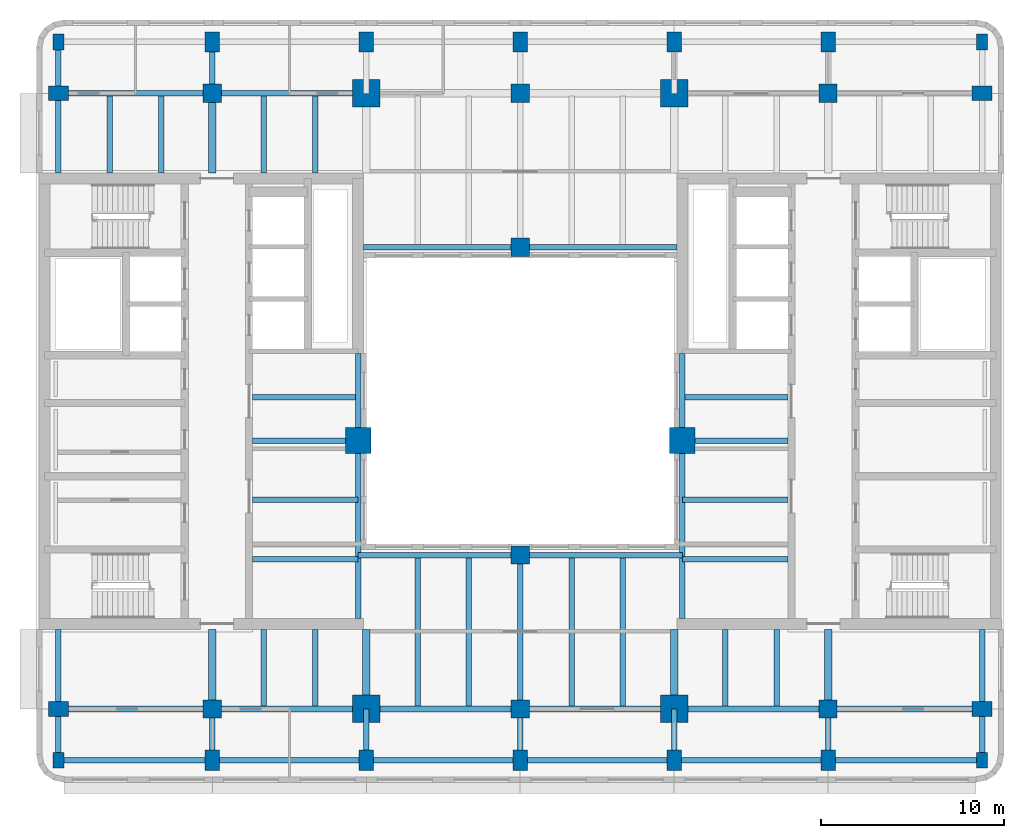
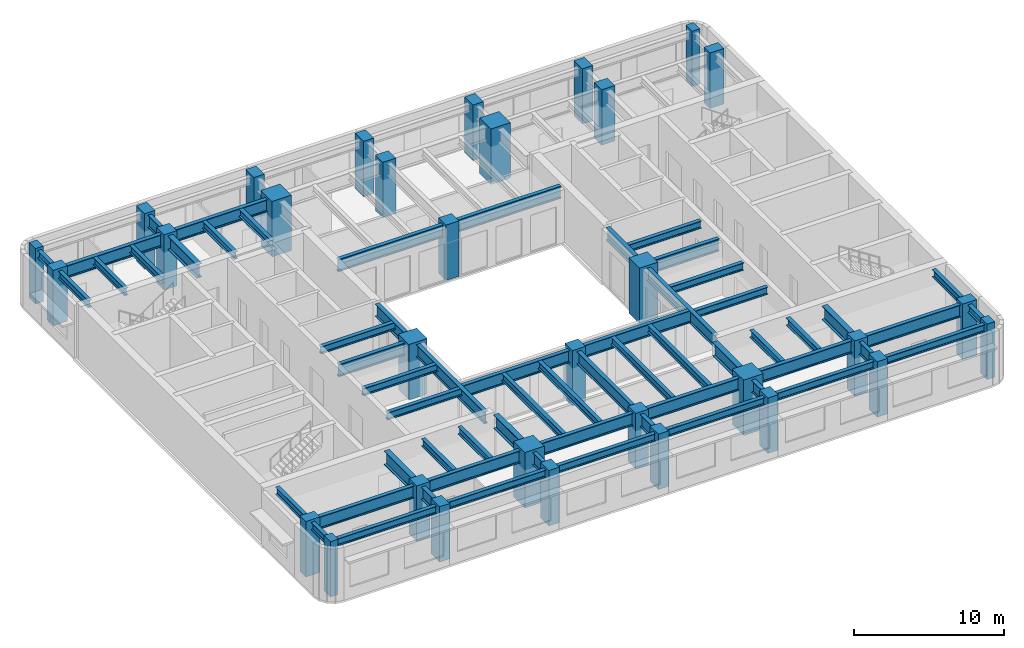
# One storey, part 1 of 13: 60 beams, 32 columns.
"""IFC4 building model written with IfcOpenShell, lengths in metres."""

from ifc_helpers import new_model, si_unit, direction, frame, origin, origin_2d, place, context, subcontext, project, spatial, rectangle, i_section, extrude, material, material_profile, profile_set, type_object, element, save


model = new_model("IFC4")

# Units and contexts
model_context = context("Model", 3, precision=1e-05, world=origin(), true_north=direction((0.0, 1.0)))
body_context = subcontext(model_context, "Body", "Model", "MODEL_VIEW")
ifc_project = project(units=[si_unit("LENGTHUNIT", "METRE"), si_unit("AREAUNIT", "SQUARE_METRE"), si_unit("VOLUMEUNIT", "CUBIC_METRE"), si_unit("PLANEANGLEUNIT", "RADIAN"), si_unit("MASSUNIT", "GRAM", prefix="KILO")], contexts=[model_context])

# Site, building, storey
site_placement = place(None, origin())
site = spatial("IfcSite", under=ifc_project, at=site_placement, CompositionType="ELEMENT")
building_placement = place(site_placement, origin())
building = spatial("IfcBuilding", under=site, at=building_placement, Name="Claustro Exchange Tower", CompositionType="ELEMENT")
storey_placement = place(building_placement, frame((0.0, 0.0, 277.199951171875)))
storey = spatial("IfcBuildingStorey", under=building, at=storey_placement, Name="L63", CompositionType="ELEMENT", Elevation=277.199951171875)

# Columns
ifc_material_1 = material(Name="Concrete HA-70 (C70/85)", Category="concrete")
ifc_material_profile_1 = material_profile(ifc_material_1, rectangle(XDim=1.39990234375, YDim=1.39990234375, at=origin_2d()), Name="RC 1400x1400")
ifc_profile_set_1 = profile_set([ifc_material_profile_1], Name="Concrete HA-70 (C70/85)")
column_type_1 = type_object("IfcColumnType", Name="C0 RC 1400x1400 HA-70 column", PredefinedType="COLUMN", material=ifc_profile_set_1)
for number, where, z_axis, x_axis, name in (
    (1, (16.35009765625, 23.050048828125, 0.0), (0.0, 0.0, 1.0), (1.0, 0.0, 0.0), "Column C0 2+7950/C+6250 L63"),
    (2, (34.050048828125, 23.050048828125, 0.0), (0.0, 0.0, 1.0), (1.0, 0.0, 0.0), "Column C0 5+450/C+6250 L63"),
):
    element("IfcColumn", number, at=place(storey_placement, frame(where, z_axis=z_axis, x_axis=x_axis)), inside=storey, type_object=column_type_1, Name=name, PredefinedType="COLUMN", context=body_context, shape_type="SweptSolid", body=[
        extrude(rectangle(XDim=1.39990234375, YDim=1.39990234375, at=origin_2d()), origin(), (0.0, 0.0, 1.0), 4.5),
    ])
ifc_material_2 = material(Name="Concrete HA-70 (C70/85)", Category="concrete")
ifc_material_profile_2 = material_profile(ifc_material_2, rectangle(XDim=1.0, YDim=1.0, at=origin_2d()), Name="RC 1000x1000")
ifc_profile_set_2 = profile_set([ifc_material_profile_2], Name="Concrete HA-70 (C70/85)")
column_type_2 = type_object("IfcColumnType", Name="C2 RC 1000x1000 HA-70 column", PredefinedType="COLUMN", material=ifc_profile_set_2)
for number, where, z_axis, x_axis, name in (
    (3, (8.39990234375, 8.39990234375, 0.0), (0.0, 0.0, 1.0), (1.0, 0.0, 0.0), "Column C2 2/B L63"),
    (4, (8.39990234375, 42.0, 0.0), (0.0, 0.0, 1.0), (1.0, 0.0, 0.0), "Column C2 2/F L63"),
    (5, (25.199951171875, 8.39990234375, 0.0), (0.0, 0.0, 1.0), (1.0, 0.0, 0.0), "Column C2 4/B L63"),
    (6, (25.199951171875, 42.0, 0.0), (0.0, 0.0, 1.0), (1.0, 0.0, 0.0), "Column C2 4/F L63"),
    (7, (25.199951171875, 16.800048828125, 0.0), (0.0, 0.0, 1.0), (1.0, 0.0, 0.0), "Column C2 4/C L63"),
    (8, (25.199951171875, 33.60009765625, 0.0), (0.0, 0.0, 1.0), (1.0, 0.0, 0.0), "Column C2 4/E L63"),
    (9, (42.0, 8.39990234375, 0.0), (0.0, 0.0, 1.0), (1.0, 0.0, 0.0), "Column C2 6/B L63"),
    (10, (42.0, 42.0, 0.0), (0.0, 0.0, 1.0), (1.0, 0.0, 0.0), "Column C2 6/F L63"),
):
    element("IfcColumn", number, at=place(storey_placement, frame(where, z_axis=z_axis, x_axis=x_axis)), inside=storey, type_object=column_type_2, Name=name, PredefinedType="COLUMN", context=body_context, shape_type="SweptSolid", body=[
        extrude(rectangle(XDim=1.0, YDim=1.0, at=origin_2d()), origin(), (0.0, 0.0, 1.0), 4.5),
    ])
ifc_material_3 = material(Name="Concrete HA-50 (C50/60)", Category="concrete")
ifc_material_profile_3 = material_profile(ifc_material_3, rectangle(XDim=0.800048828125, YDim=1.10009765625, at=origin_2d()), Name="RC 800x1100")
ifc_profile_set_3 = profile_set([ifc_material_profile_3], Name="Concrete HA-50 (C50/60)")
column_type_3 = type_object("IfcColumnType", Name="C23 RC 800x1100 HA-50 perimeter column", PredefinedType="COLUMN", material=ifc_profile_set_3)
for number, where, z_axis, x_axis, name in (
    (11, (0.0, 8.39990234375, 0.0), (0.0, 0.0, 1.0), (0.0, 1.0, 0.0), "Column C23 1/B L63"),
    (12, (0.0, 42.0, 0.0), (0.0, 0.0, 1.0), (0.0, 1.0, 0.0), "Column C23 1/F L63"),
    (13, (8.39990234375, 5.60009765625, 0.0), (0.0, 0.0, 1.0), (1.0, 0.0, 0.0), "Column C23 2/A+5600 L63"),
    (14, (8.39990234375, 44.800048828125, 0.0), (0.0, 0.0, 1.0), (1.0, 0.0, 0.0), "Column C23 2/F+2800 L63"),
    (15, (16.800048828125, 5.60009765625, 0.0), (0.0, 0.0, 1.0), (1.0, 0.0, 0.0), "Column C23 3/A+5600 L63"),
    (16, (16.800048828125, 44.800048828125, 0.0), (0.0, 0.0, 1.0), (1.0, 0.0, 0.0), "Column C23 3/F+2800 L63"),
    (17, (25.199951171875, 5.60009765625, 0.0), (0.0, 0.0, 1.0), (1.0, 0.0, 0.0), "Column C23 4/A+5600 L63"),
    (18, (25.199951171875, 44.800048828125, 0.0), (0.0, 0.0, 1.0), (1.0, 0.0, 0.0), "Column C23 4/F+2800 L63"),
    (19, (33.60009765625, 5.60009765625, 0.0), (0.0, 0.0, 1.0), (1.0, 0.0, 0.0), "Column C23 5/A+5600 L63"),
    (20, (33.60009765625, 44.800048828125, 0.0), (0.0, 0.0, 1.0), (1.0, 0.0, 0.0), "Column C23 5/F+2800 L63"),
    (21, (42.0, 5.60009765625, 0.0), (0.0, 0.0, 1.0), (1.0, 0.0, 0.0), "Column C23 6/A+5600 L63"),
    (22, (42.0, 44.800048828125, 0.0), (0.0, 0.0, 1.0), (1.0, 0.0, 0.0), "Column C23 6/F+2800 L63"),
    (23, (50.39990234375, 8.39990234375, 0.0), (0.0, 0.0, 1.0), (0.0, 1.0, 0.0), "Column C23 7/B L63"),
    (24, (50.39990234375, 42.0, 0.0), (0.0, 0.0, 1.0), (0.0, 1.0, 0.0), "Column C23 7/F L63"),
):
    element("IfcColumn", number, at=place(storey_placement, frame(where, z_axis=z_axis, x_axis=x_axis)), inside=storey, type_object=column_type_3, Name=name, PredefinedType="COLUMN", context=body_context, shape_type="SweptSolid", body=[
        extrude(rectangle(XDim=0.800048828125, YDim=1.10009765625, at=origin_2d()), origin(), (0.0, 0.0, 1.0), 4.5),
    ])
ifc_material_4 = material(Name="Concrete HA-50 (C50/60)", Category="concrete")
ifc_material_profile_4 = material_profile(ifc_material_4, rectangle(XDim=0.60009765625, YDim=0.85009765625, at=origin_2d()), Name="RC 600x850")
ifc_profile_set_4 = profile_set([ifc_material_profile_4], Name="Concrete HA-50 (C50/60)")
column_type_4 = type_object("IfcColumnType", Name="C25 RC 600x850 HA-50 corner column", PredefinedType="COLUMN", material=ifc_profile_set_4)
for number, where, z_axis, x_axis, name in (
    (25, (0.0, 5.60009765625, 0.0), (0.0, 0.0, 1.0), (1.0, 0.0, 0.0), "Column C25 1/A+5600 L63"),
    (26, (0.0, 44.800048828125, 0.0), (0.0, 0.0, 1.0), (1.0, 0.0, 0.0), "Column C25 1/F+2800 L63"),
    (27, (50.39990234375, 5.60009765625, 0.0), (0.0, 0.0, 1.0), (1.0, 0.0, 0.0), "Column C25 7/A+5600 L63"),
    (28, (50.39990234375, 44.800048828125, 0.0), (0.0, 0.0, 1.0), (1.0, 0.0, 0.0), "Column C25 7/F+2800 L63"),
):
    element("IfcColumn", number, at=place(storey_placement, frame(where, z_axis=z_axis, x_axis=x_axis)), inside=storey, type_object=column_type_4, Name=name, PredefinedType="COLUMN", context=body_context, shape_type="SweptSolid", body=[
        extrude(rectangle(XDim=0.60009765625, YDim=0.85009765625, at=origin_2d()), origin(), (0.0, 0.0, 1.0), 4.5),
    ])
ifc_material_5 = material(Name="Concrete HA-70 (C70/85)", Category="concrete")
ifc_material_profile_5 = material_profile(ifc_material_5, rectangle(XDim=1.5, YDim=1.5, at=origin_2d()), Name="RC 1500x1500")
ifc_profile_set_5 = profile_set([ifc_material_profile_5], Name="Concrete HA-70 (C70/85)")
column_type_5 = type_object("IfcColumnType", Name="C43 RC 1500x1500 HA-70 column", PredefinedType="COLUMN", material=ifc_profile_set_5)
for number, where, z_axis, x_axis, name in (
    (29, (16.800048828125, 8.39990234375, 0.0), (0.0, 0.0, 1.0), (1.0, 0.0, 0.0), "Column C43 3/B L63"),
    (30, (16.800048828125, 42.0, 0.0), (0.0, 0.0, 1.0), (1.0, 0.0, 0.0), "Column C43 3/F L63"),
    (31, (33.60009765625, 8.39990234375, 0.0), (0.0, 0.0, 1.0), (1.0, 0.0, 0.0), "Column C43 5/B L63"),
    (32, (33.60009765625, 42.0, 0.0), (0.0, 0.0, 1.0), (1.0, 0.0, 0.0), "Column C43 5/F L63"),
):
    element("IfcColumn", number, at=place(storey_placement, frame(where, z_axis=z_axis, x_axis=x_axis)), inside=storey, type_object=column_type_5, Name=name, PredefinedType="COLUMN", context=body_context, shape_type="SweptSolid", body=[
        extrude(rectangle(XDim=1.5, YDim=1.5, at=origin_2d()), origin(), (0.0, 0.0, 1.0), 4.5),
    ])

# Beams
ifc_material_6 = material(Name="Steel S355", Category="steel")
ifc_material_profile_6 = material_profile(ifc_material_6, i_section(OverallWidth=0.300048828125, OverallDepth=0.60009765625, WebThickness=0.015380859375, FlangeThickness=0.030029296875, FilletRadius=0.027099609375, at=origin_2d()), Name="HE 600 B")
ifc_profile_set_6 = profile_set([ifc_material_profile_6], Name="Steel S355")
beam_type_1 = type_object("IfcBeamType", Name="B22 HE 600 B secondary beam", PredefinedType="BEAM", material=ifc_profile_set_6)
for number, where, z_axis, x_axis, name in (
    (33, (2.800048828125, 37.64990234375, 4.0), (0.0, 1.0, 0.0), (-1.0, 0.0, 0.0), "Beam B22 L64"),
    (34, (5.60009765625, 37.64990234375, 4.0), (0.0, 1.0, 0.0), (-1.0, 0.0, 0.0), "Beam B22 L64"),
):
    element("IfcBeam", number, at=place(storey_placement, frame(where, z_axis=z_axis, x_axis=x_axis)), inside=storey, type_object=beam_type_1, Name=name, PredefinedType="BEAM", context=body_context, shape_type="SweptSolid", body=[
        extrude(i_section(OverallWidth=0.300048828125, OverallDepth=0.60009765625, WebThickness=0.015380859375, FlangeThickness=0.030029296875, FilletRadius=0.027099609375, at=origin_2d()), origin(), (0.0, 0.0, 1.0), 4.19921875),
    ])
for number, where, z_axis, x_axis, name in (
    (35, (11.199951171875, 8.551025390625, 4.0), (0.0, 1.0, 0.0), (-1.0, 0.0, 0.0), "Beam B22 L64"),
    (36, (14.0, 8.551025390625, 4.0), (0.0, 1.0, 0.0), (-1.0, 0.0, 0.0), "Beam B22 L64"),
):
    element("IfcBeam", number, at=place(storey_placement, frame(where, z_axis=z_axis, x_axis=x_axis)), inside=storey, type_object=beam_type_1, Name=name, PredefinedType="BEAM", context=body_context, shape_type="SweptSolid", body=[
        extrude(i_section(OverallWidth=0.300048828125, OverallDepth=0.60009765625, WebThickness=0.015380859375, FlangeThickness=0.030029296875, FilletRadius=0.027099609375, at=origin_2d()), origin(), (0.0, 0.0, 1.0), 4.198974609375),
    ])
for number, where, z_axis, x_axis, name in (
    (37, (11.199951171875, 37.64990234375, 4.0), (0.0, 1.0, 0.0), (-1.0, 0.0, 0.0), "Beam B22 L64"),
    (38, (14.0, 37.64990234375, 4.0), (0.0, 1.0, 0.0), (-1.0, 0.0, 0.0), "Beam B22 L64"),
):
    element("IfcBeam", number, at=place(storey_placement, frame(where, z_axis=z_axis, x_axis=x_axis)), inside=storey, type_object=beam_type_1, Name=name, PredefinedType="BEAM", context=body_context, shape_type="SweptSolid", body=[
        extrude(i_section(OverallWidth=0.300048828125, OverallDepth=0.60009765625, WebThickness=0.015380859375, FlangeThickness=0.030029296875, FilletRadius=0.027099609375, at=origin_2d()), origin(), (0.0, 0.0, 1.0), 4.19921875),
    ])
for number, where, z_axis, x_axis, name in (
    (39, (19.60009765625, 8.551025390625, 4.0), (0.0, 1.0, 0.0), (-1.0, 0.0, 0.0), "Beam B22 L64"),
    (40, (22.39990234375, 8.551025390625, 4.0), (0.0, 1.0, 0.0), (-1.0, 0.0, 0.0), "Beam B22 L64"),
    (41, (28.0, 8.551025390625, 4.0), (0.0, 1.0, 0.0), (-1.0, 0.0, 0.0), "Beam B22 L64"),
    (42, (30.800048828125, 8.551025390625, 4.0), (0.0, 1.0, 0.0), (-1.0, 0.0, 0.0), "Beam B22 L64"),
):
    element("IfcBeam", number, at=place(storey_placement, frame(where, z_axis=z_axis, x_axis=x_axis)), inside=storey, type_object=beam_type_1, Name=name, PredefinedType="BEAM", context=body_context, shape_type="SweptSolid", body=[
        extrude(i_section(OverallWidth=0.300048828125, OverallDepth=0.60009765625, WebThickness=0.015380859375, FlangeThickness=0.030029296875, FilletRadius=0.027099609375, at=origin_2d()), origin(), (0.0, 0.0, 1.0), 8.098876953125),
    ])
for number, where, z_axis, x_axis, name in (
    (43, (36.39990234375, 8.551025390625, 4.0), (0.0, 1.0, 0.0), (-1.0, 0.0, 0.0), "Beam B22 L64"),
    (44, (39.199951171875, 8.551025390625, 4.0), (0.0, 1.0, 0.0), (-1.0, 0.0, 0.0), "Beam B22 L64"),
):
    element("IfcBeam", number, at=place(storey_placement, frame(where, z_axis=z_axis, x_axis=x_axis)), inside=storey, type_object=beam_type_1, Name=name, PredefinedType="BEAM", context=body_context, shape_type="SweptSolid", body=[
        extrude(i_section(OverallWidth=0.300048828125, OverallDepth=0.60009765625, WebThickness=0.015380859375, FlangeThickness=0.030029296875, FilletRadius=0.027099609375, at=origin_2d()), origin(), (0.0, 0.0, 1.0), 4.198974609375),
    ])
for number, where, z_axis, x_axis, name in (
    (45, (10.60009765625, 16.583251953125, 4.0), (1.0, 0.0, 0.0), (0.0, 1.0, 0.0), "Beam B22 core step framing L64"),
    (46, (10.60009765625, 19.816650390625, 4.0), (1.0, 0.0, 0.0), (0.0, 1.0, 0.0), "Beam B22 core step framing L64"),
    (47, (10.60009765625, 25.425048828125, 4.0), (1.0, 0.0, 0.0), (0.0, 1.0, 0.0), "Beam B22 core step framing L64"),
    (48, (34.050048828125, 16.583251953125, 4.0), (1.0, 0.0, 0.0), (0.0, 1.0, 0.0), "Beam B22 core step framing L64"),
    (49, (34.050048828125, 19.816650390625, 4.0), (1.0, 0.0, 0.0), (0.0, 1.0, 0.0), "Beam B22 core step framing L64"),
    (50, (34.050048828125, 25.425048828125, 4.0), (1.0, 0.0, 0.0), (0.0, 1.0, 0.0), "Beam B22 core step framing L64"),
):
    element("IfcBeam", number, at=place(storey_placement, frame(where, z_axis=z_axis, x_axis=x_axis)), inside=storey, type_object=beam_type_1, Name=name, PredefinedType="BEAM", context=body_context, shape_type="SweptSolid", body=[
        extrude(i_section(OverallWidth=0.300048828125, OverallDepth=0.60009765625, WebThickness=0.015380859375, FlangeThickness=0.030029296875, FilletRadius=0.027099609375, at=origin_2d()), origin(), (0.0, 0.0, 1.0), 5.75),
    ])
ifc_material_7 = material(Name="Steel S355", Category="steel")
ifc_material_profile_7 = material_profile(ifc_material_7, i_section(OverallWidth=0.302001953125, OverallDepth=1.008056640625, WebThickness=0.02099609375, FlangeThickness=0.0400390625, FilletRadius=0.030029296875, at=origin_2d()), Name="HE 1000 M")
ifc_profile_set_7 = profile_set([ifc_material_profile_7], Name="Steel S355")
beam_type_2 = type_object("IfcBeamType", Name="B23 HE 1000 M floor girder", PredefinedType="BEAM", material=ifc_profile_set_7)
beam_1_placement = place(storey_placement, frame((8.39990234375, 5.60009765625, 3.796142578125), z_axis=(0.0, 1.0, 0.0), x_axis=(-1.0, 0.0, 0.0)))
element("IfcBeam", 51, at=beam_1_placement, inside=storey, type_object=beam_type_2, Name="Beam B23 L64", PredefinedType="BEAM", context=body_context, shape_type="SweptSolid", body=[
    extrude(i_section(OverallWidth=0.302001953125, OverallDepth=1.008056640625, WebThickness=0.02099609375, FlangeThickness=0.0400390625, FilletRadius=0.030029296875, at=origin_2d()), origin(), (0.0, 0.0, 1.0), 2.7998046875),
])
beam_2_placement = place(storey_placement, frame((8.39990234375, 42.0, 3.796142578125), z_axis=(0.0, 1.0, 0.0), x_axis=(-1.0, 0.0, 0.0)))
element("IfcBeam", 52, at=beam_2_placement, inside=storey, type_object=beam_type_2, Name="Beam B23 L64", PredefinedType="BEAM", context=body_context, shape_type="SweptSolid", body=[
    extrude(i_section(OverallWidth=0.302001953125, OverallDepth=1.008056640625, WebThickness=0.02099609375, FlangeThickness=0.0400390625, FilletRadius=0.030029296875, at=origin_2d()), origin(), (0.0, 0.0, 1.0), 2.800048828125),
])
for number, where, z_axis, x_axis, name in (
    (53, (16.800048828125, 5.60009765625, 3.796142578125), (0.0, 1.0, 0.0), (-1.0, 0.0, 0.0), "Beam B23 L64"),
    (54, (25.199951171875, 5.60009765625, 3.796142578125), (0.0, 1.0, 0.0), (-1.0, 0.0, 0.0), "Beam B23 L64"),
):
    element("IfcBeam", number, at=place(storey_placement, frame(where, z_axis=z_axis, x_axis=x_axis)), inside=storey, type_object=beam_type_2, Name=name, PredefinedType="BEAM", context=body_context, shape_type="SweptSolid", body=[
        extrude(i_section(OverallWidth=0.302001953125, OverallDepth=1.008056640625, WebThickness=0.02099609375, FlangeThickness=0.0400390625, FilletRadius=0.030029296875, at=origin_2d()), origin(), (0.0, 0.0, 1.0), 2.7998046875),
    ])
beam_3_placement = place(storey_placement, frame((25.199951171875, 8.39990234375, 3.796142578125), z_axis=(0.0, 1.0, 0.0), x_axis=(-1.0, 0.0, 0.0)))
element("IfcBeam", 55, at=beam_3_placement, inside=storey, type_object=beam_type_2, Name="Beam B23 L64", PredefinedType="BEAM", context=body_context, shape_type="SweptSolid", body=[
    extrude(i_section(OverallWidth=0.302001953125, OverallDepth=1.008056640625, WebThickness=0.02099609375, FlangeThickness=0.0400390625, FilletRadius=0.030029296875, at=origin_2d()), origin(), (0.0, 0.0, 1.0), 8.400146484375),
])
for number, where, z_axis, x_axis, name in (
    (56, (33.60009765625, 5.60009765625, 3.796142578125), (0.0, 1.0, 0.0), (-1.0, 0.0, 0.0), "Beam B23 L64"),
    (57, (42.0, 5.60009765625, 3.796142578125), (0.0, 1.0, 0.0), (-1.0, 0.0, 0.0), "Beam B23 L64"),
):
    element("IfcBeam", number, at=place(storey_placement, frame(where, z_axis=z_axis, x_axis=x_axis)), inside=storey, type_object=beam_type_2, Name=name, PredefinedType="BEAM", context=body_context, shape_type="SweptSolid", body=[
        extrude(i_section(OverallWidth=0.302001953125, OverallDepth=1.008056640625, WebThickness=0.02099609375, FlangeThickness=0.0400390625, FilletRadius=0.030029296875, at=origin_2d()), origin(), (0.0, 0.0, 1.0), 2.7998046875),
    ])
beam_4_placement = place(storey_placement, frame((0.0, 8.39990234375, 3.796142578125), z_axis=(1.0, 0.0, 0.0), x_axis=(0.0, 1.0, 0.0)))
element("IfcBeam", 58, at=beam_4_placement, inside=storey, type_object=beam_type_2, Name="Beam B23 L64", PredefinedType="BEAM", context=body_context, shape_type="SweptSolid", body=[
    extrude(i_section(OverallWidth=0.302001953125, OverallDepth=1.008056640625, WebThickness=0.02099609375, FlangeThickness=0.0400390625, FilletRadius=0.030029296875, at=origin_2d()), origin(), (0.0, 0.0, 1.0), 8.39990234375),
])
beam_5_placement = place(storey_placement, frame((8.39990234375, 8.39990234375, 3.796142578125), z_axis=(1.0, 0.0, 0.0), x_axis=(0.0, 1.0, 0.0)))
element("IfcBeam", 59, at=beam_5_placement, inside=storey, type_object=beam_type_2, Name="Beam B23 L64", PredefinedType="BEAM", context=body_context, shape_type="SweptSolid", body=[
    extrude(i_section(OverallWidth=0.302001953125, OverallDepth=1.008056640625, WebThickness=0.02099609375, FlangeThickness=0.0400390625, FilletRadius=0.030029296875, at=origin_2d()), origin(), (0.0, 0.0, 1.0), 8.400146484375),
])
beam_6_placement = place(storey_placement, frame((16.800048828125, 8.39990234375, 3.796142578125), z_axis=(1.0, 0.0, 0.0), x_axis=(0.0, 1.0, 0.0)))
element("IfcBeam", 60, at=beam_6_placement, inside=storey, type_object=beam_type_2, Name="Beam B23 L64", PredefinedType="BEAM", context=body_context, shape_type="SweptSolid", body=[
    extrude(i_section(OverallWidth=0.302001953125, OverallDepth=1.008056640625, WebThickness=0.02099609375, FlangeThickness=0.0400390625, FilletRadius=0.030029296875, at=origin_2d()), origin(), (0.0, 0.0, 1.0), 8.39990234375),
])
beam_7_placement = place(storey_placement, frame((25.199951171875, 8.39990234375, 3.796142578125), z_axis=(1.0, 0.0, 0.0), x_axis=(0.0, 1.0, 0.0)))
element("IfcBeam", 61, at=beam_7_placement, inside=storey, type_object=beam_type_2, Name="Beam B23 L64", PredefinedType="BEAM", context=body_context, shape_type="SweptSolid", body=[
    extrude(i_section(OverallWidth=0.302001953125, OverallDepth=1.008056640625, WebThickness=0.02099609375, FlangeThickness=0.0400390625, FilletRadius=0.030029296875, at=origin_2d()), origin(), (0.0, 0.0, 1.0), 8.400146484375),
])
for number, where, z_axis, x_axis, name in (
    (62, (33.60009765625, 8.39990234375, 3.796142578125), (1.0, 0.0, 0.0), (0.0, 1.0, 0.0), "Beam B23 L64"),
    (63, (42.0, 8.39990234375, 3.796142578125), (1.0, 0.0, 0.0), (0.0, 1.0, 0.0), "Beam B23 L64"),
    (64, (0.0, 42.0, 3.796142578125), (1.0, 0.0, 0.0), (0.0, 1.0, 0.0), "Beam B23 L64"),
):
    element("IfcBeam", number, at=place(storey_placement, frame(where, z_axis=z_axis, x_axis=x_axis)), inside=storey, type_object=beam_type_2, Name=name, PredefinedType="BEAM", context=body_context, shape_type="SweptSolid", body=[
        extrude(i_section(OverallWidth=0.302001953125, OverallDepth=1.008056640625, WebThickness=0.02099609375, FlangeThickness=0.0400390625, FilletRadius=0.030029296875, at=origin_2d()), origin(), (0.0, 0.0, 1.0), 8.39990234375),
    ])
beam_8_placement = place(storey_placement, frame((8.39990234375, 42.0, 3.796142578125), z_axis=(1.0, 0.0, 0.0), x_axis=(0.0, 1.0, 0.0)))
element("IfcBeam", 65, at=beam_8_placement, inside=storey, type_object=beam_type_2, Name="Beam B23 L64", PredefinedType="BEAM", context=body_context, shape_type="SweptSolid", body=[
    extrude(i_section(OverallWidth=0.302001953125, OverallDepth=1.008056640625, WebThickness=0.02099609375, FlangeThickness=0.0400390625, FilletRadius=0.030029296875, at=origin_2d()), origin(), (0.0, 0.0, 1.0), 8.400146484375),
])
beam_9_placement = place(storey_placement, frame((10.60009765625, 23.050048828125, 3.796142578125), z_axis=(1.0, 0.0, 0.0), x_axis=(0.0, 1.0, 0.0)))
element("IfcBeam", 66, at=beam_9_placement, inside=storey, type_object=beam_type_2, Name="Beam B23 core step framing L64", PredefinedType="BEAM", context=body_context, shape_type="SweptSolid", body=[
    extrude(i_section(OverallWidth=0.302001953125, OverallDepth=1.008056640625, WebThickness=0.02099609375, FlangeThickness=0.0400390625, FilletRadius=0.030029296875, at=origin_2d()), origin(), (0.0, 0.0, 1.0), 5.75),
])
beam_10_placement = place(storey_placement, frame((16.35009765625, 13.35009765625, 3.796142578125), z_axis=(0.0, 1.0, 0.0), x_axis=(-1.0, 0.0, 0.0)))
element("IfcBeam", 67, at=beam_10_placement, inside=storey, type_object=beam_type_2, Name="Beam B23 core step framing L64", PredefinedType="BEAM", context=body_context, shape_type="SweptSolid", body=[
    extrude(i_section(OverallWidth=0.302001953125, OverallDepth=1.008056640625, WebThickness=0.02099609375, FlangeThickness=0.0400390625, FilletRadius=0.030029296875, at=origin_2d()), origin(), (0.0, 0.0, 1.0), 9.699951171875),
])
beam_11_placement = place(storey_placement, frame((16.35009765625, 23.050048828125, 3.796142578125), z_axis=(0.0, 1.0, 0.0), x_axis=(-1.0, 0.0, 0.0)))
element("IfcBeam", 68, at=beam_11_placement, inside=storey, type_object=beam_type_2, Name="Beam B23 core step framing L64", PredefinedType="BEAM", context=body_context, shape_type="SweptSolid", body=[
    extrude(i_section(OverallWidth=0.302001953125, OverallDepth=1.008056640625, WebThickness=0.02099609375, FlangeThickness=0.0400390625, FilletRadius=0.030029296875, at=origin_2d()), origin(), (0.0, 0.0, 1.0), 4.75),
])
beam_12_placement = place(storey_placement, frame((34.050048828125, 23.050048828125, 3.796142578125), z_axis=(1.0, 0.0, 0.0), x_axis=(0.0, 1.0, 0.0)))
element("IfcBeam", 69, at=beam_12_placement, inside=storey, type_object=beam_type_2, Name="Beam B23 core step framing L64", PredefinedType="BEAM", context=body_context, shape_type="SweptSolid", body=[
    extrude(i_section(OverallWidth=0.302001953125, OverallDepth=1.008056640625, WebThickness=0.02099609375, FlangeThickness=0.0400390625, FilletRadius=0.030029296875, at=origin_2d()), origin(), (0.0, 0.0, 1.0), 5.75),
])
beam_13_placement = place(storey_placement, frame((34.050048828125, 13.35009765625, 3.796142578125), z_axis=(0.0, 1.0, 0.0), x_axis=(-1.0, 0.0, 0.0)))
element("IfcBeam", 70, at=beam_13_placement, inside=storey, type_object=beam_type_2, Name="Beam B23 core step framing L64", PredefinedType="BEAM", context=body_context, shape_type="SweptSolid", body=[
    extrude(i_section(OverallWidth=0.302001953125, OverallDepth=1.008056640625, WebThickness=0.02099609375, FlangeThickness=0.0400390625, FilletRadius=0.030029296875, at=origin_2d()), origin(), (0.0, 0.0, 1.0), 9.699951171875),
])
beam_14_placement = place(storey_placement, frame((34.050048828125, 23.050048828125, 3.796142578125), z_axis=(0.0, 1.0, 0.0), x_axis=(-1.0, 0.0, 0.0)))
element("IfcBeam", 71, at=beam_14_placement, inside=storey, type_object=beam_type_2, Name="Beam B23 core step framing L64", PredefinedType="BEAM", context=body_context, shape_type="SweptSolid", body=[
    extrude(i_section(OverallWidth=0.302001953125, OverallDepth=1.008056640625, WebThickness=0.02099609375, FlangeThickness=0.0400390625, FilletRadius=0.030029296875, at=origin_2d()), origin(), (0.0, 0.0, 1.0), 4.75),
])
ifc_material_8 = material(Name="Steel S355", Category="steel")
ifc_material_profile_8 = material_profile(ifc_material_8, i_section(OverallWidth=0.405029296875, OverallDepth=1.117919921875, WebThickness=0.02587890625, FlangeThickness=0.044921875, FilletRadius=0.02001953125, at=origin_2d()), Name="HL 1100 R")
ifc_profile_set_8 = profile_set([ifc_material_profile_8], Name="Steel S355")
beam_type_3 = type_object("IfcBeamType", Name="B30 HL 1100 R tank room girder to core", PredefinedType="BEAM", material=ifc_profile_set_8)
for number, where, z_axis, x_axis, name in (
    (72, (8.39990234375, 8.39990234375, 3.740966796875), (0.0, 1.0, 0.0), (-1.0, 0.0, 0.0), "Beam B30 L64"),
    (73, (8.39990234375, 37.64990234375, 3.740966796875), (0.0, 1.0, 0.0), (-1.0, 0.0, 0.0), "Beam B30 L64"),
    (74, (16.800048828125, 8.39990234375, 3.740966796875), (0.0, 1.0, 0.0), (-1.0, 0.0, 0.0), "Beam B30 L64"),
    (75, (33.60009765625, 8.39990234375, 3.740966796875), (0.0, 1.0, 0.0), (-1.0, 0.0, 0.0), "Beam B30 L64"),
    (76, (42.0, 8.39990234375, 3.740966796875), (0.0, 1.0, 0.0), (-1.0, 0.0, 0.0), "Beam B30 L64"),
):
    element("IfcBeam", number, at=place(storey_placement, frame(where, z_axis=z_axis, x_axis=x_axis)), inside=storey, type_object=beam_type_3, Name=name, PredefinedType="BEAM", context=body_context, shape_type="SweptSolid", body=[
        extrude(i_section(OverallWidth=0.405029296875, OverallDepth=1.117919921875, WebThickness=0.02587890625, FlangeThickness=0.044921875, FilletRadius=0.02001953125, at=origin_2d()), origin(), (0.0, 0.0, 1.0), 4.35009765625),
    ])
ifc_material_9 = material(Name="Steel S355", Category="steel")
ifc_material_profile_9 = material_profile(ifc_material_9, i_section(OverallWidth=0.300048828125, OverallDepth=1.0, WebThickness=0.01904296875, FlangeThickness=0.035888671875, FilletRadius=0.030029296875, at=origin_2d()), Name="HE 1000 B")
ifc_profile_set_9 = profile_set([ifc_material_profile_9], Name="Steel S355")
beam_type_4 = type_object("IfcBeamType", Name="B31 HE 1000 B light well edge girder", PredefinedType="BEAM", material=ifc_profile_set_9)
beam_15_placement = place(storey_placement, frame((16.35009765625, 16.800048828125, 3.800048828125), z_axis=(1.0, 0.0, 0.0), x_axis=(0.0, 1.0, 0.0)))
element("IfcBeam", 77, at=beam_15_placement, inside=storey, type_object=beam_type_4, Name="Beam B31 L64", PredefinedType="BEAM", context=body_context, shape_type="SweptSolid", body=[
    extrude(i_section(OverallWidth=0.300048828125, OverallDepth=1.0, WebThickness=0.01904296875, FlangeThickness=0.035888671875, FilletRadius=0.030029296875, at=origin_2d()), origin(), (0.0, 0.0, 1.0), 8.849853515625),
])
beam_16_placement = place(storey_placement, frame((25.199951171875, 16.800048828125, 3.800048828125), z_axis=(1.0, 0.0, 0.0), x_axis=(0.0, 1.0, 0.0)))
element("IfcBeam", 78, at=beam_16_placement, inside=storey, type_object=beam_type_4, Name="Beam B31 L64", PredefinedType="BEAM", context=body_context, shape_type="SweptSolid", body=[
    extrude(i_section(OverallWidth=0.300048828125, OverallDepth=1.0, WebThickness=0.01904296875, FlangeThickness=0.035888671875, FilletRadius=0.030029296875, at=origin_2d()), origin(), (0.0, 0.0, 1.0), 8.85009765625),
])
for number, where, z_axis, x_axis, name in (
    (79, (16.64990234375, 33.60009765625, 3.800048828125), (1.0, 0.0, 0.0), (0.0, 1.0, 0.0), "Beam B31 L64"),
    (80, (25.199951171875, 33.60009765625, 3.800048828125), (1.0, 0.0, 0.0), (0.0, 1.0, 0.0), "Beam B31 L64"),
):
    element("IfcBeam", number, at=place(storey_placement, frame(where, z_axis=z_axis, x_axis=x_axis)), inside=storey, type_object=beam_type_4, Name=name, PredefinedType="BEAM", context=body_context, shape_type="SweptSolid", body=[
        extrude(i_section(OverallWidth=0.300048828125, OverallDepth=1.0, WebThickness=0.01904296875, FlangeThickness=0.035888671875, FilletRadius=0.030029296875, at=origin_2d()), origin(), (0.0, 0.0, 1.0), 8.550048828125),
    ])
ifc_material_10 = material(Name="Steel S355", Category="steel")
ifc_material_profile_10 = material_profile(ifc_material_10, i_section(OverallWidth=0.300048828125, OverallDepth=0.60009765625, WebThickness=0.015380859375, FlangeThickness=0.030029296875, FilletRadius=0.027099609375, at=origin_2d()), Name="HE 600 B")
ifc_profile_set_10 = profile_set([ifc_material_profile_10], Name="Steel S355")
beam_type_5 = type_object("IfcBeamType", Name="B6 HE 600 B spandrel edge girder", PredefinedType="SPANDREL", material=ifc_profile_set_10)
beam_17_placement = place(storey_placement, frame((0.0, 5.60009765625, 4.0), z_axis=(0.0, 1.0, 0.0), x_axis=(-1.0, 0.0, 0.0)))
element("IfcBeam", 81, at=beam_17_placement, inside=storey, type_object=beam_type_5, Name="Beam B6 L64", PredefinedType="SPANDREL", context=body_context, shape_type="SweptSolid", body=[
    extrude(i_section(OverallWidth=0.300048828125, OverallDepth=0.60009765625, WebThickness=0.015380859375, FlangeThickness=0.030029296875, FilletRadius=0.027099609375, at=origin_2d()), origin(), (0.0, 0.0, 1.0), 2.7998046875),
])
for number, where, z_axis, x_axis, name in (
    (82, (0.0, 8.39990234375, 4.0), (0.0, 1.0, 0.0), (-1.0, 0.0, 0.0), "Beam B6 L64"),
    (83, (0.0, 37.64990234375, 4.0), (0.0, 1.0, 0.0), (-1.0, 0.0, 0.0), "Beam B6 L64"),
):
    element("IfcBeam", number, at=place(storey_placement, frame(where, z_axis=z_axis, x_axis=x_axis)), inside=storey, type_object=beam_type_5, Name=name, PredefinedType="SPANDREL", context=body_context, shape_type="SweptSolid", body=[
        extrude(i_section(OverallWidth=0.300048828125, OverallDepth=0.60009765625, WebThickness=0.015380859375, FlangeThickness=0.030029296875, FilletRadius=0.027099609375, at=origin_2d()), origin(), (0.0, 0.0, 1.0), 4.35009765625),
    ])
beam_18_placement = place(storey_placement, frame((0.0, 42.0, 4.0), z_axis=(0.0, 1.0, 0.0), x_axis=(-1.0, 0.0, 0.0)))
element("IfcBeam", 84, at=beam_18_placement, inside=storey, type_object=beam_type_5, Name="Beam B6 L64", PredefinedType="SPANDREL", context=body_context, shape_type="SweptSolid", body=[
    extrude(i_section(OverallWidth=0.300048828125, OverallDepth=0.60009765625, WebThickness=0.015380859375, FlangeThickness=0.030029296875, FilletRadius=0.027099609375, at=origin_2d()), origin(), (0.0, 0.0, 1.0), 2.800048828125),
])
beam_19_placement = place(storey_placement, frame((50.39990234375, 5.60009765625, 4.0), z_axis=(0.0, 1.0, 0.0), x_axis=(-1.0, 0.0, 0.0)))
element("IfcBeam", 85, at=beam_19_placement, inside=storey, type_object=beam_type_5, Name="Beam B6 L64", PredefinedType="SPANDREL", context=body_context, shape_type="SweptSolid", body=[
    extrude(i_section(OverallWidth=0.300048828125, OverallDepth=0.60009765625, WebThickness=0.015380859375, FlangeThickness=0.030029296875, FilletRadius=0.027099609375, at=origin_2d()), origin(), (0.0, 0.0, 1.0), 2.7998046875),
])
beam_20_placement = place(storey_placement, frame((50.39990234375, 8.39990234375, 4.0), z_axis=(0.0, 1.0, 0.0), x_axis=(-1.0, 0.0, 0.0)))
element("IfcBeam", 86, at=beam_20_placement, inside=storey, type_object=beam_type_5, Name="Beam B6 L64", PredefinedType="SPANDREL", context=body_context, shape_type="SweptSolid", body=[
    extrude(i_section(OverallWidth=0.300048828125, OverallDepth=0.60009765625, WebThickness=0.015380859375, FlangeThickness=0.030029296875, FilletRadius=0.027099609375, at=origin_2d()), origin(), (0.0, 0.0, 1.0), 4.35009765625),
])
beam_21_placement = place(storey_placement, frame((0.0, 5.60009765625, 4.0), z_axis=(1.0, 0.0, 0.0), x_axis=(0.0, 1.0, 0.0)))
element("IfcBeam", 87, at=beam_21_placement, inside=storey, type_object=beam_type_5, Name="Beam B6 L64", PredefinedType="SPANDREL", context=body_context, shape_type="SweptSolid", body=[
    extrude(i_section(OverallWidth=0.300048828125, OverallDepth=0.60009765625, WebThickness=0.015380859375, FlangeThickness=0.030029296875, FilletRadius=0.027099609375, at=origin_2d()), origin(), (0.0, 0.0, 1.0), 8.39990234375),
])
beam_22_placement = place(storey_placement, frame((8.39990234375, 5.60009765625, 4.0), z_axis=(1.0, 0.0, 0.0), x_axis=(0.0, 1.0, 0.0)))
element("IfcBeam", 88, at=beam_22_placement, inside=storey, type_object=beam_type_5, Name="Beam B6 L64", PredefinedType="SPANDREL", context=body_context, shape_type="SweptSolid", body=[
    extrude(i_section(OverallWidth=0.300048828125, OverallDepth=0.60009765625, WebThickness=0.015380859375, FlangeThickness=0.030029296875, FilletRadius=0.027099609375, at=origin_2d()), origin(), (0.0, 0.0, 1.0), 8.400146484375),
])
beam_23_placement = place(storey_placement, frame((16.800048828125, 5.60009765625, 4.0), z_axis=(1.0, 0.0, 0.0), x_axis=(0.0, 1.0, 0.0)))
element("IfcBeam", 89, at=beam_23_placement, inside=storey, type_object=beam_type_5, Name="Beam B6 L64", PredefinedType="SPANDREL", context=body_context, shape_type="SweptSolid", body=[
    extrude(i_section(OverallWidth=0.300048828125, OverallDepth=0.60009765625, WebThickness=0.015380859375, FlangeThickness=0.030029296875, FilletRadius=0.027099609375, at=origin_2d()), origin(), (0.0, 0.0, 1.0), 8.39990234375),
])
beam_24_placement = place(storey_placement, frame((25.199951171875, 5.60009765625, 4.0), z_axis=(1.0, 0.0, 0.0), x_axis=(0.0, 1.0, 0.0)))
element("IfcBeam", 90, at=beam_24_placement, inside=storey, type_object=beam_type_5, Name="Beam B6 L64", PredefinedType="SPANDREL", context=body_context, shape_type="SweptSolid", body=[
    extrude(i_section(OverallWidth=0.300048828125, OverallDepth=0.60009765625, WebThickness=0.015380859375, FlangeThickness=0.030029296875, FilletRadius=0.027099609375, at=origin_2d()), origin(), (0.0, 0.0, 1.0), 8.400146484375),
])
for number, where, z_axis, x_axis, name in (
    (91, (33.60009765625, 5.60009765625, 4.0), (1.0, 0.0, 0.0), (0.0, 1.0, 0.0), "Beam B6 L64"),
    (92, (42.0, 5.60009765625, 4.0), (1.0, 0.0, 0.0), (0.0, 1.0, 0.0), "Beam B6 L64"),
):
    element("IfcBeam", number, at=place(storey_placement, frame(where, z_axis=z_axis, x_axis=x_axis)), inside=storey, type_object=beam_type_5, Name=name, PredefinedType="SPANDREL", context=body_context, shape_type="SweptSolid", body=[
        extrude(i_section(OverallWidth=0.300048828125, OverallDepth=0.60009765625, WebThickness=0.015380859375, FlangeThickness=0.030029296875, FilletRadius=0.027099609375, at=origin_2d()), origin(), (0.0, 0.0, 1.0), 8.39990234375),
    ])

save(model, "model.ifc")
